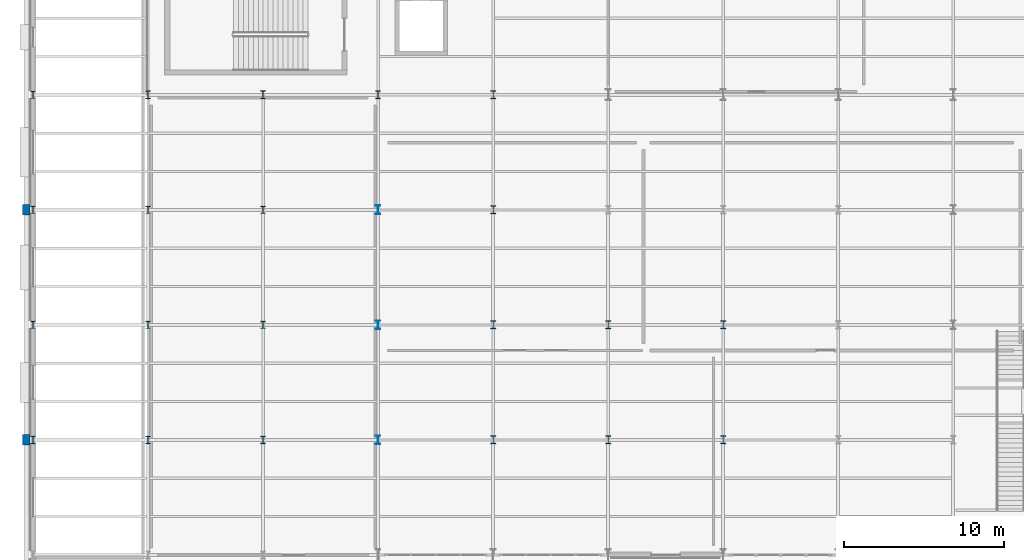
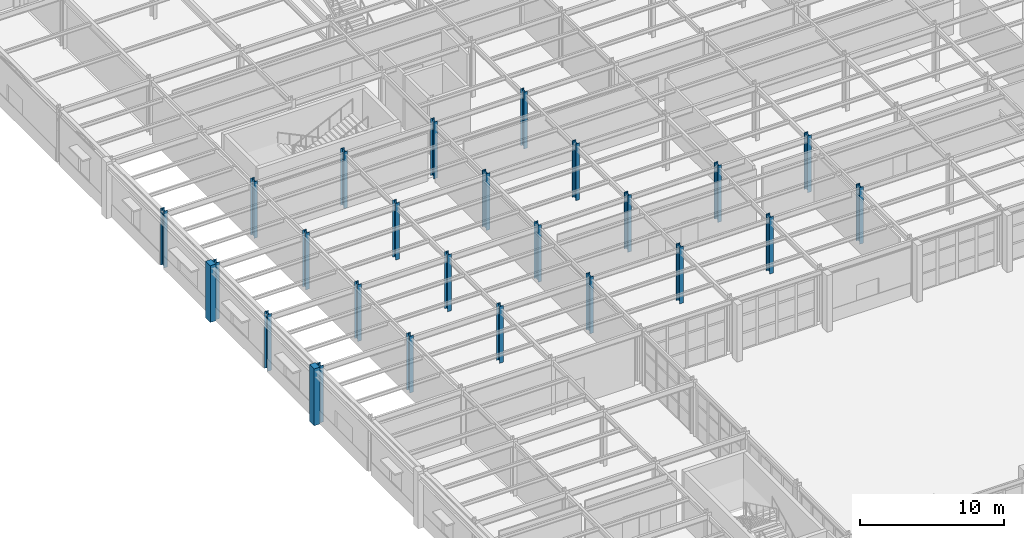
# One storey, part 8 of 83: 26 columns.
"""IFC4 building model written with IfcOpenShell, lengths in metres."""

import ifcopenshell
import ifcopenshell.guid

model = None  # the IFC model being written
_history = None  # IfcOwnerHistory: only IFC2X3 demands one
_inside = {}  # id of a spatial element -> (the spatial element, [elements in it])
_under = {}  # id of a project, library or spatial element -> (it, [spatial elements below it])
_declared = {}  # id of a project -> (the project, [libraries it declares])
_typed = {}  # id of a type object -> (the type object, [elements of that type])
_made_of = {}  # id of a material, layer set ... -> (it, [elements and type objects made of it])


def new_model(schema):
    """Start an empty IFC model of exactly this schema.

    Asked for "IFC4X3", IfcOpenShell would pick the latest addendum, in which some entities
    have other attributes; the version numbers below select the first issue.
    IFC2X3 requires an IfcOwnerHistory on every rooted entity: one is made here for all.
    """
    global model, _history
    if schema == "IFC4X3":
        model = ifcopenshell.file(schema_version=(4, 3, 0, 0))
    else:
        model = ifcopenshell.file(schema=schema)
    _inside.clear()
    _under.clear()
    _declared.clear()
    _typed.clear()
    _made_of.clear()
    _history = None
    if model.schema == "IFC2X3":
        org = make("IfcOrganization", Name="unknown")
        user = make(
            "IfcPersonAndOrganization",
            ThePerson=make("IfcPerson", FamilyName="unknown"),
            TheOrganization=org,
        )
        app = make(
            "IfcApplication",
            ApplicationDeveloper=org,
            Version="unknown",
            ApplicationFullName="unknown",
            ApplicationIdentifier="unknown",
        )
        _history = make(
            "IfcOwnerHistory",
            OwningUser=user,
            OwningApplication=app,
            ChangeAction="ADDED",
            CreationDate=0,
        )
    return model


def make(cls, **values):
    """One entity of the class cls with the attributes given. An attribute that is None is left unset."""
    return model.create_entity(
        cls, **{name: value for name, value in values.items() if value is not None}
    )


def rooted(cls, **values):
    """An entity with a GlobalId (a new one), such as an element, a storey or a relation."""
    return make(cls, GlobalId=ifcopenshell.guid.new(), OwnerHistory=_history, **values)


def si_unit(unit_type, name, prefix=None):
    """IfcSIUnit, for example si_unit("LENGTHUNIT", "METRE", prefix="MILLI")."""
    return make("IfcSIUnit", UnitType=unit_type, Prefix=prefix, Name=name)


def assignment(units):
    """IfcUnitAssignment: the units of a project."""
    return None if units is None else make("IfcUnitAssignment", Units=units)


def point(xyz):
    """IfcCartesianPoint."""
    return None if xyz is None else make("IfcCartesianPoint", Coordinates=xyz)


def direction(xyz):
    """IfcDirection."""
    return None if xyz is None else make("IfcDirection", DirectionRatios=xyz)


def frame(location, z_axis=None, x_axis=None):
    """IfcAxis2Placement3D, a coordinate frame: its origin and axes. An axis left out is left unset."""
    return make(
        "IfcAxis2Placement3D",
        Location=point(location),
        Axis=direction(z_axis),
        RefDirection=direction(x_axis),
    )


def frame_2d(location, x_axis=None):
    """IfcAxis2Placement2D, a coordinate frame in the plane: its origin and x axis."""
    return make(
        "IfcAxis2Placement2D", Location=point(location), RefDirection=direction(x_axis)
    )


def origin():
    """The frame at (0, 0, 0) with its axes left unset."""
    return frame((0.0, 0.0, 0.0))


def origin_2d():
    """The frame at (0, 0) in the plane with its x axis left unset."""
    return frame_2d((0.0, 0.0))


def place(relative_to, where):
    """IfcLocalPlacement: puts the frame where relative to a parent placement (None: the world)."""
    return make(
        "IfcLocalPlacement", PlacementRelTo=relative_to, RelativePlacement=where
    )


def context(
    kind, dimensions, precision=None, world=None, true_north=None, identifier=None
):
    """IfcGeometricRepresentationContext, for example the 3D "Model" context."""
    return make(
        "IfcGeometricRepresentationContext",
        ContextIdentifier=identifier,
        ContextType=kind,
        CoordinateSpaceDimension=dimensions,
        Precision=precision,
        WorldCoordinateSystem=world,
        TrueNorth=true_north,
    )


def subcontext(parent, identifier, kind, view, scale=None):
    """IfcGeometricRepresentationSubContext, for example "Body" below "Model"."""
    return make(
        "IfcGeometricRepresentationSubContext",
        ContextIdentifier=identifier,
        ContextType=kind,
        ParentContext=parent,
        TargetScale=scale,
        TargetView=view,
    )


def project(units=None, contexts=None):
    """IfcProject with its units and contexts."""
    return rooted(
        "IfcProject",
        Name="project",
        RepresentationContexts=contexts,
        UnitsInContext=assignment(units),
    )


def spatial(cls, under=None, at=None, **own):
    """A site, building, storey or space (cls), placed at a placement, below another one or the project."""
    s = rooted(cls, ObjectPlacement=at, **own)
    if under is not None:
        _under.setdefault(under.id(), (under, []))[1].append(s)
    return s


def profile(cls, at=None, kind="AREA", **sizes):
    """A parametric profile (cls). Its sizes go by their IFC names, for example OverallWidth=200.0."""
    return make(cls, ProfileType=kind, Position=at, **sizes)


def rectangle(**sizes):
    """IfcRectangleProfileDef."""
    return profile("IfcRectangleProfileDef", **sizes)


def i_section(**sizes):
    """IfcIShapeProfileDef."""
    return profile("IfcIShapeProfileDef", **sizes)


def extrude(swept, where, along, depth):
    """IfcExtrudedAreaSolid: the profile swept, set in the frame where, extruded along a direction by depth."""
    return make(
        "IfcExtrudedAreaSolid",
        SweptArea=swept,
        Position=where,
        ExtrudedDirection=direction(along),
        Depth=depth,
    )


def shape(context_of_items, identifier, shape_type, items):
    """IfcShapeRepresentation: the items that make up one representation, for example the "Body"."""
    return make(
        "IfcShapeRepresentation",
        ContextOfItems=context_of_items,
        RepresentationIdentifier=identifier,
        RepresentationType=shape_type,
        Items=items,
    )


def material(Name=None, Category=None):
    """IfcMaterial."""
    return make("IfcMaterial", Name=Name, Category=Category)


def material_profile(
    of_material, cross_section, Name=None, Category=None, Priority=None
):
    """IfcMaterialProfile: a cross section and its material."""
    return make(
        "IfcMaterialProfile",
        Name=Name,
        Material=of_material,
        Profile=cross_section,
        Priority=Priority,
        Category=Category,
    )


def profile_set(profiles, Name=None, composite=None):
    """IfcMaterialProfileSet."""
    return make(
        "IfcMaterialProfileSet",
        Name=Name,
        MaterialProfiles=profiles,
        CompositeProfile=composite,
    )


def made_of(thing, what):
    """Note that an element or type object is made of a material, layer set ...; save() writes the relation."""
    if what is not None:
        _made_of.setdefault(what.id(), (what, []))[1].append(thing)
    return thing


def type_object(cls, material=None, **own):
    """A type object (cls), such as IfcWallType, which elements share."""
    return made_of(rooted(cls, **own), material)


def element(
    cls,
    number,
    at=None,
    inside=None,
    cuts=None,
    type_object=None,
    material=None,
    context=None,
    identifier="Body",
    shape_type=None,
    held_by="IfcProductDefinitionShape",
    body=None,
    shapes=None,
    **own,
):
    """One element of the class cls, such as IfcWall. Its Tag is "e" and its number.

    at: its placement. inside: the storey or other place that contains it. cuts: it is an
    opening in that element (IfcRelVoidsElement). A single representation is given by context,
    identifier, shape_type and body (its items); several are given by shapes. held_by: the class
    of the entity that holds the representations. save() writes the other relations.
    """
    e = rooted(cls, Tag="e%d" % number, ObjectPlacement=at, **own)
    if body is not None:
        shapes = [shape(context, identifier, shape_type, body)]
    if shapes is not None:
        e.Representation = make(held_by, Representations=shapes)
    if inside is not None:
        _inside.setdefault(inside.id(), (inside, []))[1].append(e)
    if cuts is not None:
        rooted(
            "IfcRelVoidsElement", RelatingBuildingElement=cuts, RelatedOpeningElement=e
        )
    if type_object is not None:
        _typed.setdefault(type_object.id(), (type_object, []))[1].append(e)
    return made_of(e, material)


def aggregate(whole, parts):
    """IfcRelAggregates: a whole, such as a stair, and the parts it consists of."""
    return rooted("IfcRelAggregates", RelatingObject=whole, RelatedObjects=parts)


def save(model, path):
    """Write the relations noted so far, then the file.

    IfcRelAggregates (storeys below a building ...), IfcRelContainedInSpatialStructure (elements
    in a storey), IfcRelDefinesByType, IfcRelAssociatesMaterial and IfcRelDeclares: one each for
    every whole, place, type object, material and project.
    """
    for whole, parts in _under.values():
        aggregate(whole, parts)
    for where, things in _inside.values():
        rooted(
            "IfcRelContainedInSpatialStructure",
            RelatedElements=things,
            RelatingStructure=where,
        )
    for kind, things in _typed.values():
        rooted("IfcRelDefinesByType", RelatedObjects=things, RelatingType=kind)
    for what, things in _made_of.values():
        rooted("IfcRelAssociatesMaterial", RelatedObjects=things, RelatingMaterial=what)
    for by, libraries in _declared.values():
        rooted("IfcRelDeclares", RelatingContext=by, RelatedDefinitions=libraries)
    model.write(path)


model = new_model("IFC4")

# Units and contexts
model_context = context("Model", 3, precision=1e-05, world=origin(), true_north=direction((0.0, 1.0)))
body_context = subcontext(model_context, "Body", "Model", "MODEL_VIEW")
ifc_project = project(units=[si_unit("LENGTHUNIT", "METRE"), si_unit("AREAUNIT", "SQUARE_METRE"), si_unit("VOLUMEUNIT", "CUBIC_METRE"), si_unit("PLANEANGLEUNIT", "RADIAN"), si_unit("MASSUNIT", "GRAM", prefix="KILO")], contexts=[model_context])

# Site, building, storey
site_placement = place(None, origin())
site = spatial("IfcSite", under=ifc_project, at=site_placement, CompositionType="ELEMENT")
building_placement = place(site_placement, origin())
building = spatial("IfcBuilding", under=site, at=building_placement, Name="Solvadek Multi-Sports Hall", CompositionType="ELEMENT")
storey_placement = place(building_placement, origin())
storey = spatial("IfcBuildingStorey", under=building, at=storey_placement, Name="L00", CompositionType="ELEMENT", Elevation=0.0)

# Columns
ifc_material_1 = material(Name="Steel E350 (350 MPa)", Category="steel")
ifc_material_profile_1 = material_profile(ifc_material_1, i_section(OverallWidth=0.300048828125, OverallDepth=0.449951171875, WebThickness=0.013916015625, FlangeThickness=0.02587890625, at=origin_2d()), Name="WPB 450")
ifc_profile_set_1 = profile_set([ifc_material_profile_1], Name="Steel E350 (350 MPa)")
column_type_1 = type_object("IfcColumnType", Name="STR-COL-WPB450", PredefinedType="COLUMN", material=ifc_profile_set_1)
for number, where, z_axis, x_axis, name in (
    (1, (0.0, 56.39990234375, 0.0), (0.0, 0.0, 1.0), (1.0, 0.0, 0.0), "L00 Column C-06 #6"),
    (2, (0.0, 63.60009765625, 0.0), (0.0, 0.0, 1.0), (1.0, 0.0, 0.0), "L00 Column C-06 #7"),
    (3, (0.0, 70.800048828125, 0.0), (0.0, 0.0, 1.0), (1.0, 0.0, 0.0), "L00 Column C-06 #8"),
    (4, (0.0, 78.0, 0.0), (0.0, 0.0, 1.0), (1.0, 0.0, 0.0), "L00 Column C-06 #9"),
    (5, (7.199951171875, 56.39990234375, 0.0), (0.0, 0.0, 1.0), (1.0, 0.0, 0.0), "L00 Column C-06 #19"),
    (6, (7.199951171875, 63.60009765625, 0.0), (0.0, 0.0, 1.0), (1.0, 0.0, 0.0), "L00 Column C-06 #20"),
    (7, (7.199951171875, 70.800048828125, 0.0), (0.0, 0.0, 1.0), (1.0, 0.0, 0.0), "L00 Column C-06 #21"),
    (8, (14.39990234375, 56.39990234375, 0.0), (0.0, 0.0, 1.0), (1.0, 0.0, 0.0), "L00 Column C-06 #32"),
    (9, (14.39990234375, 63.60009765625, 0.0), (0.0, 0.0, 1.0), (1.0, 0.0, 0.0), "L00 Column C-06 #33"),
    (10, (14.39990234375, 70.800048828125, 0.0), (0.0, 0.0, 1.0), (1.0, 0.0, 0.0), "L00 Column C-06 #34"),
):
    element("IfcColumn", number, at=place(storey_placement, frame(where, z_axis=z_axis, x_axis=x_axis)), inside=storey, type_object=column_type_1, Name=name, PredefinedType="COLUMN", context=body_context, shape_type="SweptSolid", body=[
        extrude(i_section(OverallWidth=0.300048828125, OverallDepth=0.449951171875, WebThickness=0.013916015625, FlangeThickness=0.02587890625, at=origin_2d()), origin(), (0.0, 0.0, 1.0), 4.800048828125),
    ])
ifc_material_profile_2 = material_profile(ifc_material_1, i_section(OverallWidth=0.300048828125, OverallDepth=0.5, WebThickness=0.014404296875, FlangeThickness=0.028076171875, at=origin_2d()), Name="WPB 500")
ifc_profile_set_2 = profile_set([ifc_material_profile_2], Name="Steel E350 (350 MPa)")
column_type_2 = type_object("IfcColumnType", Name="STR-COL-WPB500", PredefinedType="COLUMN", material=ifc_profile_set_2)
for number, where, z_axis, x_axis, name in (
    (11, (7.199951171875, 78.0, 0.0), (0.0, 0.0, 1.0), (1.0, 0.0, 0.0), "L00 Column C-05 #22"),
    (12, (14.39990234375, 78.0, 0.0), (0.0, 0.0, 1.0), (1.0, 0.0, 0.0), "L00 Column C-05 #35"),
    (13, (21.60009765625, 78.0, 0.0), (0.0, 0.0, 1.0), (1.0, 0.0, 0.0), "L00 Column C-05 #48"),
    (14, (28.800048828125, 56.39990234375, 0.0), (0.0, 0.0, 1.0), (1.0, 0.0, 0.0), "L00 Column C-05 #58"),
    (15, (28.800048828125, 63.60009765625, 0.0), (0.0, 0.0, 1.0), (1.0, 0.0, 0.0), "L00 Column C-05 #59"),
    (16, (28.800048828125, 70.800048828125, 0.0), (0.0, 0.0, 1.0), (1.0, 0.0, 0.0), "L00 Column C-05 #60"),
    (17, (28.800048828125, 78.0, 0.0), (0.0, 0.0, 1.0), (1.0, 0.0, 0.0), "L00 Column C-05 #61"),
    (18, (36.0, 56.39990234375, 0.0), (0.0, 0.0, 1.0), (1.0, 0.0, 0.0), "L00 Column C-05 #73"),
    (19, (36.0, 63.60009765625, 0.0), (0.0, 0.0, 1.0), (1.0, 0.0, 0.0), "L00 Column C-05 #74"),
    (20, (43.199951171875, 56.39990234375, 0.0), (0.0, 0.0, 1.0), (1.0, 0.0, 0.0), "L00 Column C-05 #89"),
    (21, (43.199951171875, 63.60009765625, 0.0), (0.0, 0.0, 1.0), (1.0, 0.0, 0.0), "L00 Column C-05 #90"),
):
    element("IfcColumn", number, at=place(storey_placement, frame(where, z_axis=z_axis, x_axis=x_axis)), inside=storey, type_object=column_type_2, Name=name, PredefinedType="COLUMN", context=body_context, shape_type="SweptSolid", body=[
        extrude(i_section(OverallWidth=0.300048828125, OverallDepth=0.5, WebThickness=0.014404296875, FlangeThickness=0.028076171875, at=origin_2d()), origin(), (0.0, 0.0, 1.0), 4.800048828125),
    ])
ifc_material_profile_3 = material_profile(ifc_material_1, i_section(OverallWidth=0.300048828125, OverallDepth=0.550048828125, WebThickness=0.014892578125, FlangeThickness=0.029052734375, at=origin_2d()), Name="WPB 550")
ifc_profile_set_3 = profile_set([ifc_material_profile_3], Name="Steel E350 (350 MPa)")
column_type_3 = type_object("IfcColumnType", Name="STR-COL-WPB550", PredefinedType="COLUMN", material=ifc_profile_set_3)
for number, where, z_axis, x_axis, name in (
    (22, (21.60009765625, 56.39990234375, 0.0), (0.0, 0.0, 1.0), (1.0, 0.0, 0.0), "L00 Column C-04 #45"),
    (23, (21.60009765625, 63.60009765625, 0.0), (0.0, 0.0, 1.0), (1.0, 0.0, 0.0), "L00 Column C-04 #46"),
    (24, (21.60009765625, 70.800048828125, 0.0), (0.0, 0.0, 1.0), (1.0, 0.0, 0.0), "L00 Column C-04 #47"),
):
    element("IfcColumn", number, at=place(storey_placement, frame(where, z_axis=z_axis, x_axis=x_axis)), inside=storey, type_object=column_type_3, Name=name, PredefinedType="COLUMN", context=body_context, shape_type="SweptSolid", body=[
        extrude(i_section(OverallWidth=0.300048828125, OverallDepth=0.550048828125, WebThickness=0.014892578125, FlangeThickness=0.029052734375, at=origin_2d()), origin(), (0.0, 0.0, 1.0), 4.800048828125),
    ])
ifc_material_2 = material(Name="Precast concrete M40", Category="concrete")
ifc_material_profile_4 = material_profile(ifc_material_2, rectangle(XDim=0.449951171875, YDim=0.64990234375, at=origin_2d()), Name="RC PILASTER 650x450")
ifc_profile_set_4 = profile_set([ifc_material_profile_4], Name="Precast concrete M40")
column_type_4 = type_object("IfcColumnType", Name="STR-PIL-650X450", PredefinedType="PILASTER", material=ifc_profile_set_4)
for number, where, z_axis, x_axis, name in (
    (25, (-0.419921875, 56.39990234375, 0.0), (0.0, 0.0, 1.0), (1.0, 0.0, 0.0), "L00 Column CP-01 #314"),
    (26, (-0.419921875, 70.800048828125, 0.0), (0.0, 0.0, 1.0), (1.0, 0.0, 0.0), "L00 Column CP-01 #315"),
):
    element("IfcColumn", number, at=place(storey_placement, frame(where, z_axis=z_axis, x_axis=x_axis)), inside=storey, type_object=column_type_4, Name=name, PredefinedType="PILASTER", context=body_context, shape_type="SweptSolid", body=[
        extrude(rectangle(XDim=0.449951171875, YDim=0.64990234375, at=origin_2d()), origin(), (0.0, 0.0, 1.0), 4.800048828125),
    ])

save(model, "model.ifc")
